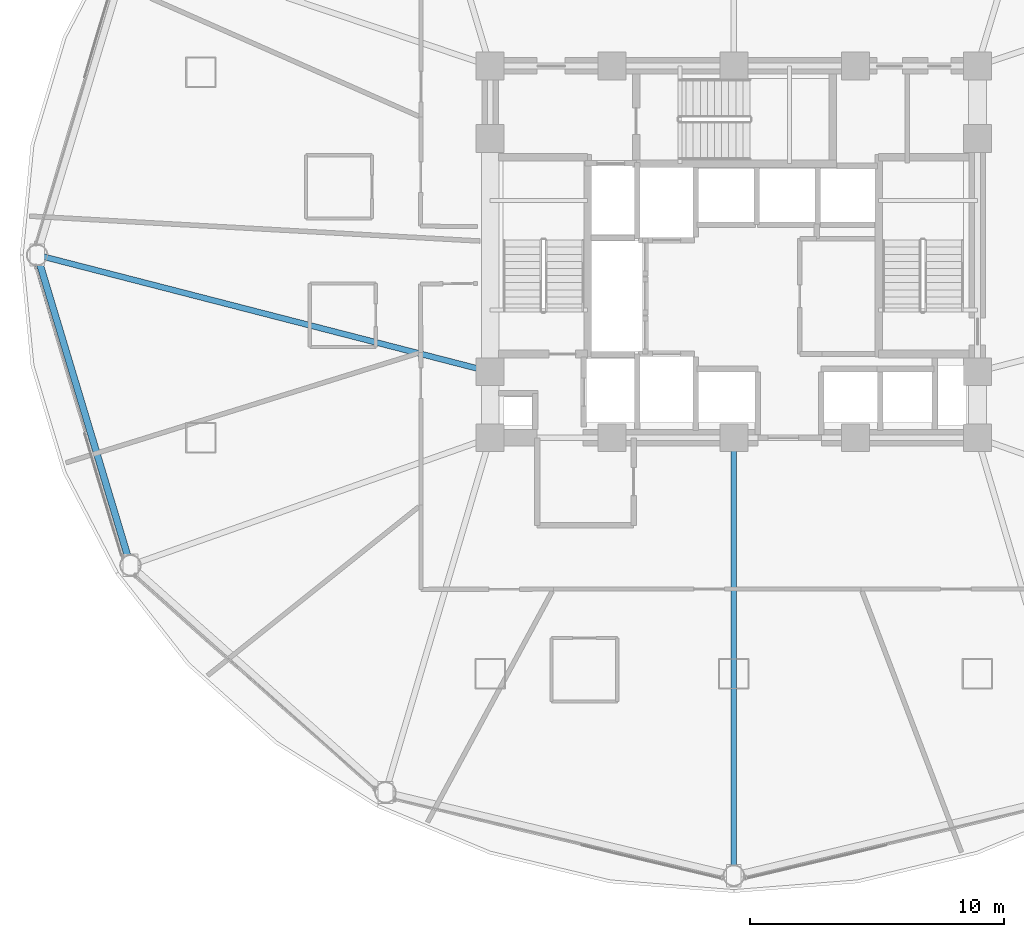
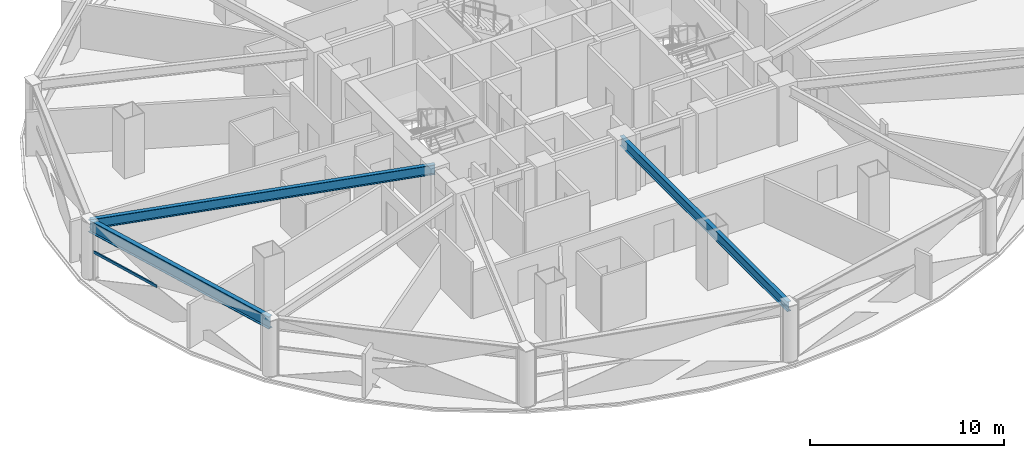
# One storey, part 5 of 29: 3 beams, 1 member, 1 element without a shape of its own.
"""IFC4 building model written with IfcOpenShell, lengths in metres."""

from ifc_helpers import new_model, si_unit, direction, frame, origin, origin_2d, place, context, subcontext, project, spatial, hollow_rectangle, i_section, extrude, material, layer, layer_set, material_profile, profile_set, type_object, element, aggregate, save


model = new_model("IFC4")

# Units and contexts
model_context = context("Model", 3, precision=1e-05, world=origin(), true_north=direction((0.0, 1.0)))
body_context = subcontext(model_context, "Body", "Model", "MODEL_VIEW")
ifc_project = project(units=[si_unit("LENGTHUNIT", "METRE"), si_unit("AREAUNIT", "SQUARE_METRE"), si_unit("VOLUMEUNIT", "CUBIC_METRE"), si_unit("PLANEANGLEUNIT", "RADIAN"), si_unit("MASSUNIT", "GRAM", prefix="KILO")], contexts=[model_context])

# Site, building, storey
site_placement = place(None, origin())
site = spatial("IfcSite", under=ifc_project, at=site_placement, CompositionType="ELEMENT")
building_placement = place(site_placement, origin())
building = spatial("IfcBuilding", under=site, at=building_placement, Name="Vantalir Tower", CompositionType="ELEMENT")
storey_placement = place(building_placement, frame((0.0, 0.0, 60.75)))
storey = spatial("IfcBuildingStorey", under=building, at=storey_placement, Name="L14", CompositionType="ELEMENT", Elevation=60.75)

# Beams
ifc_material_1 = material(Name="Steel S355", Category="steel")
ifc_material_profile_1 = material_profile(ifc_material_1, i_section(OverallWidth=0.22998046875, OverallDepth=0.616943359375, WebThickness=0.01318359375, FlangeThickness=0.022216796875, at=origin_2d()), Name="Steel S355")
ifc_profile_set_1 = profile_set([ifc_material_profile_1], Name="Steel S355")
beam_type_1 = type_object("IfcBeamType", Name="BM-RB-610x229", PredefinedType="BEAM", material=ifc_profile_set_1)
beam_1_placement = place(storey_placement, frame((4.049072265625, 25.0, 3.261962890625), z_axis=(0.968363475004, -0.249543944582, 0.0), x_axis=(0.249543944582, 0.968363475004, 0.0)))
element("IfcBeam", 1, at=beam_1_placement, inside=storey, type_object=beam_type_1, Name="L14 Radial Floor Beam 07", PredefinedType="BEAM", context=body_context, shape_type="SweptSolid", body=[
    extrude(i_section(OverallWidth=0.22998046875, OverallDepth=0.616943359375, WebThickness=0.01318359375, FlangeThickness=0.022216796875, at=origin_2d()), origin(), (0.0, 0.0, 1.0), 18.43408203125),
])
beam_2_placement = place(storey_placement, frame((31.5, 0.549072265625, 3.261962890625), z_axis=(0.0, 1.0, 0.0), x_axis=(-1.0, 0.0, 0.0)))
element("IfcBeam", 2, at=beam_2_placement, inside=storey, type_object=beam_type_1, Name="L14 Radial Floor Beam 10", PredefinedType="BEAM", context=body_context, shape_type="SweptSolid", body=[
    extrude(i_section(OverallWidth=0.22998046875, OverallDepth=0.616943359375, WebThickness=0.01318359375, FlangeThickness=0.022216796875, at=origin_2d()), origin(), (0.0, 0.0, 1.0), 17.2509765625),
])
ifc_material_2 = material(Name="Steel S460", Category="steel")
ifc_material_profile_2 = material_profile(ifc_material_2, i_section(OverallWidth=0.26806640625, OverallDepth=0.77001953125, WebThickness=0.015625, FlangeThickness=0.025390625, at=origin_2d()), Name="Steel S460")
ifc_profile_set_2 = profile_set([ifc_material_profile_2], Name="Steel S460")
beam_type_2 = type_object("IfcBeamType", Name="BM-RG-762x267", PredefinedType="USERDEFINED", material=ifc_profile_set_2)
beam_3_placement = place(storey_placement, frame((4.049072265625, 25.0, 3.18505859375), z_axis=(0.288077607768, -0.957607065504, 0.0), x_axis=(0.957607065504, 0.288077607768, 0.0)))
element("IfcBeam", 3, at=beam_3_placement, inside=storey, type_object=beam_type_2, Name="L14 Circumferential Ring Girder 07", ObjectType="GIRDER", PredefinedType="USERDEFINED", context=body_context, shape_type="SweptSolid", body=[
    extrude(i_section(OverallWidth=0.26806640625, OverallDepth=0.77001953125, WebThickness=0.015625, FlangeThickness=0.025390625, at=origin_2d()), origin(), (0.0, 0.0, 1.0), 12.767333984375),
])

# Curtain wall, member
ifc_material_3 = material(Name="Champagne-silver PVDF aluminium and double-silver Low-E glass", Category="aluminium")
ifc_layer = layer(ifc_material_3, 0.18994140625)
ifc_layer_set = layer_set([ifc_layer], Name="Champagne-silver PVDF aluminium and double-silver Low-E glass")
curtain_wall_type = type_object("IfcCurtainWallType", Name="CW-DIAMOND-Z1", PredefinedType="USERDEFINED", material=ifc_layer_set)
curtain_wall_placement = place(storey_placement, origin())
curtain_wall = element("IfcCurtainWall", 4, at=curtain_wall_placement, inside=storey, type_object=curtain_wall_type, Name="L14 Quilted Pyramid-Diamond Curtain Wall S07", ObjectType="UNITISED CURTAIN WALL", PredefinedType="USERDEFINED")
ifc_material_4 = material(Name="Champagne-silver PVDF aluminium 6063-T6", Category="aluminium")
ifc_material_profile_3 = material_profile(ifc_material_4, hollow_rectangle(XDim=0.074951171875, YDim=0.159912109375, WallThickness=0.00390625, at=origin_2d()), Name="Champagne-silver PVDF aluminium 6063-T6")
ifc_profile_set_3 = profile_set([ifc_material_profile_3], Name="Champagne-silver PVDF aluminium 6063-T6")
member_type = type_object("IfcMemberType", Name="CWT-160x75", PredefinedType="USERDEFINED", material=ifc_profile_set_3)
member_placement = place(storey_placement, frame((3.993896484375, 24.550048828125, 1.784912109375), z_axis=(0.282849186917, -0.95916439543, 0.0), x_axis=(0.95916439543, 0.282849186917, 0.0)))
member = element("IfcMember", 5, at=member_placement, type_object=member_type, Name="CW-L14-S07 Pyramid Fold Ridge Transom", ObjectType="TRANSOM", PredefinedType="USERDEFINED", context=body_context, shape_type="SweptSolid", body=[
    extrude(hollow_rectangle(XDim=0.074951171875, YDim=0.159912109375, WallThickness=0.00390625, at=origin_2d()), origin(), (0.0, 0.0, 1.0), 4.529052734375),
])
aggregate(curtain_wall, [member])

save(model, "model.ifc")
